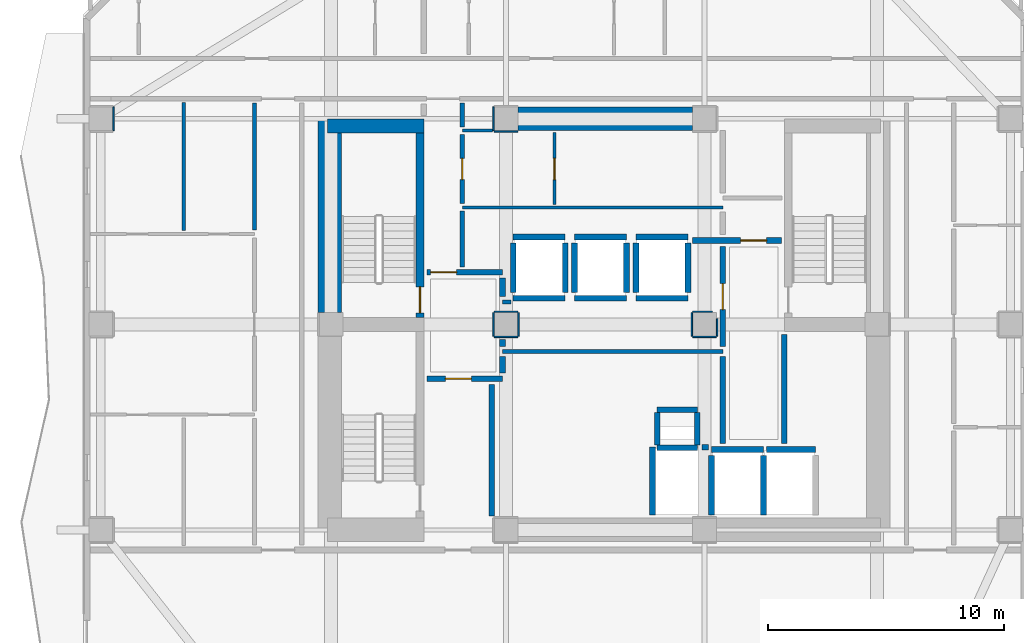
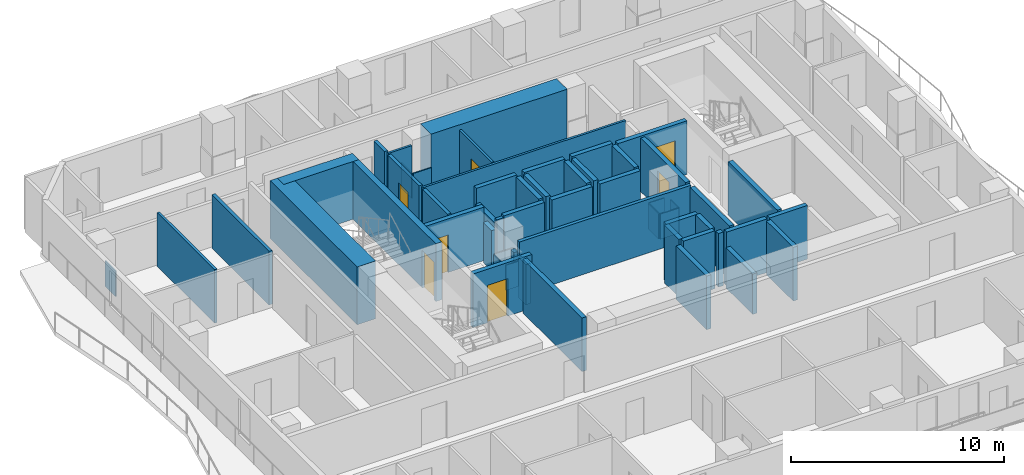
# One storey, part 4 of 11: 57 walls, 7 doors, 7 openings.
"""IFC4 building model written with IfcOpenShell, lengths in metres."""

from ifc_helpers import new_model, si_unit, direction, frame, frame_2d, origin, place, context, subcontext, project, spatial, rectangle, extrude, material, layer, layer_set, type_object, element, fill, save


model = new_model("IFC4")

# Units and contexts
model_context = context("Model", 3, precision=1e-05, world=origin(), true_north=direction((0.0, 1.0)))
body_context = subcontext(model_context, "Body", "Model", "MODEL_VIEW")
ifc_project = project(units=[si_unit("LENGTHUNIT", "METRE"), si_unit("AREAUNIT", "SQUARE_METRE"), si_unit("VOLUMEUNIT", "CUBIC_METRE"), si_unit("PLANEANGLEUNIT", "RADIAN"), si_unit("MASSUNIT", "GRAM", prefix="KILO")], contexts=[model_context])

# Site, building, storey
site_placement = place(None, origin())
site = spatial("IfcSite", under=ifc_project, at=site_placement, CompositionType="ELEMENT")
building_placement = place(site_placement, origin())
building = spatial("IfcBuilding", under=site, at=building_placement, Name="Solanera Arch Residences", CompositionType="ELEMENT")
storey_placement = place(building_placement, frame((0.0, 0.0, 116.0400390625)))
storey = spatial("IfcBuildingStorey", under=building, at=storey_placement, Name="L33", CompositionType="ELEMENT", Elevation=116.0400390625)

# Walls
ifc_material_1 = material(Name="Fire-Rated Gypsum Stud Partition", Category="gypsum")
ifc_layer_1 = layer(ifc_material_1, 0.06005859375)
ifc_layer_set_1 = layer_set([ifc_layer_1], Name="Fire-Rated Gypsum Stud Partition")
wall_type_1 = type_object("IfcWallType", Name="Column Acoustic Furring Wall 60", PredefinedType="PARTITIONING", material=ifc_layer_set_1)
for number, where, z_axis, x_axis, name in (
    (1, (20.300048828125, 38.867919921875, 0.0), (0.0, 0.0, 1.0), (1.0, 0.0, 0.0), "L33 Column Furring 3S"),
    (2, (20.26806640625, 38.89990234375, 0.0), (0.0, 0.0, 1.0), (0.0, 1.0, 0.0), "L33 Column Furring 3W"),
    (3, (20.300048828125, 30.16796875, 0.0), (0.0, 0.0, 1.0), (1.0, 0.0, 0.0), "L33 Column Furring 7S"),
    (4, (20.300048828125, 31.23193359375, 0.0), (0.0, 0.0, 1.0), (1.0, 0.0, 0.0), "L33 Column Furring 7N"),
    (5, (20.26806640625, 30.199951171875, 0.0), (0.0, 0.0, 1.0), (0.0, 1.0, 0.0), "L33 Column Furring 7W"),
    (6, (21.33203125, 30.199951171875, 0.0), (0.0, 0.0, 1.0), (0.0, 1.0, 0.0), "L33 Column Furring 7E"),
    (7, (28.699951171875, 30.16796875, 0.0), (0.0, 0.0, 1.0), (1.0, 0.0, 0.0), "L33 Column Furring 8S"),
):
    element("IfcWall", number, at=place(storey_placement, frame(where, z_axis=z_axis, x_axis=x_axis)), inside=storey, type_object=wall_type_1, Name=name, PredefinedType="PARTITIONING", context=body_context, shape_type="SweptSolid", body=[
        extrude(rectangle(XDim=1.0, YDim=0.06005859375, at=frame_2d((0.5, 0.0))), origin(), (0.0, 0.0, 1.0), 1.449951171875),
    ])
wall_1_placement = place(storey_placement, frame((28.699951171875, 31.23193359375, 0.0), z_axis=(0.0, 0.0, 1.0), x_axis=(1.0, 0.0, 0.0)))
element("IfcWall", 8, at=wall_1_placement, inside=storey, type_object=wall_type_1, Name="L33 Column Furring 8N", PredefinedType="PARTITIONING", context=body_context, shape_type="SweptSolid", body=[
    extrude(rectangle(XDim=0.8349609375, YDim=0.06005859375, at=frame_2d((0.41748046875, 0.0))), origin(), (0.0, 0.0, 1.0), 1.449951171875),
])
wall_2_placement = place(storey_placement, frame((28.66796875, 30.199951171875, 0.0), z_axis=(0.0, 0.0, 1.0), x_axis=(0.0, 1.0, 0.0)))
element("IfcWall", 9, at=wall_2_placement, inside=storey, type_object=wall_type_1, Name="L33 Column Furring 8W", PredefinedType="PARTITIONING", context=body_context, shape_type="SweptSolid", body=[
    extrude(rectangle(XDim=1.0, YDim=0.06005859375, at=frame_2d((0.5, 0.0))), origin(), (0.0, 0.0, 1.0), 1.449951171875),
])
wall_3_placement = place(storey_placement, frame((29.73193359375, 30.199951171875, 0.0), z_axis=(0.0, 0.0, 1.0), x_axis=(0.0, 1.0, 0.0)))
element("IfcWall", 10, at=wall_3_placement, inside=storey, type_object=wall_type_1, Name="L33 Column Furring 8E", PredefinedType="PARTITIONING", context=body_context, shape_type="SweptSolid", body=[
    extrude(rectangle(XDim=0.7470703125, YDim=0.06005859375, at=frame_2d((0.37353515625, 0.0))), origin(), (0.0, 0.0, 1.0), 1.449951171875),
])
wall_4_placement = place(storey_placement, frame((4.181884765625, 38.89990234375, 0.0), z_axis=(0.0, 0.0, 1.0), x_axis=(0.0, 1.0, 0.0)))
element("IfcWall", 11, at=wall_4_placement, inside=storey, type_object=wall_type_1, Name="L33 Column Furring 21E", PredefinedType="PARTITIONING", context=body_context, shape_type="SweptSolid", body=[
    extrude(rectangle(XDim=1.0, YDim=0.06005859375, at=frame_2d((0.5, 0.0))), origin(), (0.0, 0.0, 1.0), 1.449951171875),
])
ifc_material_2 = material(Name="Concrete C55/67 (f'c = 60 MPa)", Category="concrete")
ifc_layer_2 = layer(ifc_material_2, 1.0)
ifc_layer_set_2 = layer_set([ifc_layer_2], Name="Concrete C55/67 (f'c = 60 MPa)")
wall_type_2 = type_object("IfcWallType", Name="Core Shear Wall CW-1000", PredefinedType="SHEAR", material=ifc_layer_set_2)
wall_5_placement = place(storey_placement, frame((13.340087890625, 31.205078125, 0.0), z_axis=(0.0, 0.0, 1.0), x_axis=(0.0, 1.0, 0.0)))
element("IfcWall", 12, at=wall_5_placement, inside=storey, type_object=wall_type_2, Name="L33 West Core North Shear Wall", PredefinedType="SHEAR", context=body_context, shape_type="SweptSolid", body=[
    extrude(rectangle(XDim=8.19482421875, YDim=1.0, at=frame_2d((4.097412109375, 0.0))), origin(), (0.0, 0.0, 1.0), 3.320068359375),
])
wall_6_placement = place(storey_placement, frame((21.304931640625, 39.39990234375, 0.0), z_axis=(0.0, 0.0, 1.0), x_axis=(1.0, 0.0, 0.0)))
element("IfcWall", 13, at=wall_6_placement, inside=storey, type_object=wall_type_2, Name="L33 Central North Core Shear Wall", PredefinedType="SHEAR", context=body_context, shape_type="SweptSolid", body=[
    extrude(rectangle(XDim=7.39013671875, YDim=1.0, at=frame_2d((3.695068359375, 0.0))), origin(), (0.0, 0.0, 1.0), 3.320068359375),
])

# Wall, opening, door
ifc_material_3 = material(Name="Concrete C40/50 (f'c = 45 MPa)", Category="concrete")
ifc_layer_3 = layer(ifc_material_3, 0.320068359375)
ifc_layer_set_3 = layer_set([ifc_layer_3], Name="Concrete C40/50 (f'c = 45 MPa)")
wall_type_3 = type_object("IfcWallType", Name="Core Shear Wall CW-320", PredefinedType="SHEAR", material=ifc_layer_set_3)
wall_7_placement = place(storey_placement, frame((17.159912109375, 31.0, 0.0), z_axis=(0.0, 0.0, 1.0), x_axis=(0.0, 1.0, 0.0)))
wall_7 = element("IfcWall", 14, at=wall_7_placement, inside=storey, type_object=wall_type_3, Name="L33 Stair ST-T1 East Shear Wall", PredefinedType="SHEAR", context=body_context, shape_type="SweptSolid", body=[
    extrude(rectangle(XDim=7.800048828125, YDim=0.320068359375, at=frame_2d((3.89990234375, 0.0))), origin(), (0.0, 0.0, 1.0), 3.320068359375),
])
opening_1_placement = place(wall_7_placement, frame((0.18994140625, 0.0, 0.0)))
opening_1 = element("IfcOpeningElement", 15, at=opening_1_placement, cuts=wall_7, Name="Opening DF-01", PredefinedType="OPENING", context=body_context, shape_type="SweptSolid", body=[
    extrude(rectangle(XDim=1.10009765625, YDim=2.14990234375, at=frame_2d((0.550048828125, 1.074951171875))), frame((0.0, 0.169921875, 0.0), z_axis=(0.0, -1.0, 0.0), x_axis=(1.0, 0.0, 0.0)), (0.0, 0.0, 1.0), 0.3401),
])
ifc_material_4 = material(Name="Fire-Rated Architectural Hardwood", Category="wood")
door_type_1 = type_object("IfcDoorType", Name="Stair Exit Fire Door DF-01", OperationType="NOTDEFINED", PredefinedType="DOOR", material=ifc_material_4)
door_1_placement = place(opening_1_placement, origin())
door_1 = element("IfcDoor", 16, at=door_1_placement, inside=storey, type_object=door_type_1, Name="DR-L33-STAIR-ST-T1", OperationType="SINGLE_SWING_LEFT", OverallHeight=2.14990234375, OverallWidth=1.10009765625, PredefinedType="DOOR", context=body_context, shape_type="SweptSolid", body=[
    extrude(rectangle(XDim=1.10009765625, YDim=2.14990234375, at=frame_2d((0.550048828125, 1.074951171875))), frame((0.0, 0.02490234375, 0.0), z_axis=(0.0, -1.0, 0.0), x_axis=(1.0, 0.0, 0.0)), (0.0, 0.0, 1.0), 0.050048828125),
])
fill(opening_1, door_1)

# Walls
ifc_material_5 = material(Name="Concrete C40/50 (f'c = 45 MPa)", Category="concrete")
ifc_layer_4 = layer(ifc_material_5, 0.60009765625)
ifc_layer_set_4 = layer_set([ifc_layer_4], Name="Concrete C40/50 (f'c = 45 MPa)")
wall_type_4 = type_object("IfcWallType", Name="Core Shear Wall CW-600", PredefinedType="SHEAR", material=ifc_layer_set_4)
wall_8_placement = place(storey_placement, frame((13.239990234375, 39.10009765625, 0.0), z_axis=(0.0, 0.0, 1.0), x_axis=(1.0, 0.0, 0.0)))
element("IfcWall", 17, at=wall_8_placement, inside=storey, type_object=wall_type_4, Name="L33 North-West Core Shear Wall", PredefinedType="SHEAR", context=body_context, shape_type="SweptSolid", body=[
    extrude(rectangle(XDim=4.080078125, YDim=0.60009765625, at=frame_2d((2.0400390625, 0.0))), origin(), (0.0, 0.0, 1.0), 3.320068359375),
])
ifc_material_6 = material(Name="Autoclaved Aerated Concrete Blockwork", Category="masonry")
ifc_layer_5 = layer(ifc_material_6, 0.179931640625)
ifc_layer_set_5 = layer_set([ifc_layer_5], Name="Autoclaved Aerated Concrete Blockwork")
wall_type_5 = type_object("IfcWallType", Name="Corridor Fire Partition 180", PredefinedType="PARTITIONING", material=ifc_layer_set_5)
wall_9_placement = place(storey_placement, frame((20.64990234375, 29.550048828125, 0.0), z_axis=(0.0, 0.0, 1.0), x_axis=(1.0, 0.0, 0.0)))
element("IfcWall", 18, at=wall_9_placement, inside=storey, type_object=wall_type_5, Name="L33 Interior Partition H7", PredefinedType="PARTITIONING", context=body_context, shape_type="SweptSolid", body=[
    extrude(rectangle(XDim=9.3251953125, YDim=0.179931640625, at=frame_2d((4.66259765625, 0.0))), origin(), (0.0, 0.0, 1.0), 3.080078125),
])
wall_10_placement = place(storey_placement, frame((20.64990234375, 31.64990234375, 0.0), z_axis=(0.0, 0.0, 1.0), x_axis=(1.0, 0.0, 0.0)))
element("IfcWall", 19, at=wall_10_placement, inside=storey, type_object=wall_type_5, Name="L33 Interior Partition H8", PredefinedType="PARTITIONING", context=body_context, shape_type="SweptSolid", body=[
    extrude(rectangle(XDim=0.357177734375, YDim=0.179931640625, at=frame_2d((0.1787109375, 0.0))), origin(), (0.0, 0.0, 1.0), 3.080078125),
])
wall_11_placement = place(storey_placement, frame((10.14990234375, 34.68798828125, 0.0), z_axis=(0.0, 0.0, 1.0), x_axis=(0.0, 1.0, 0.0)))
element("IfcWall", 20, at=wall_11_placement, inside=storey, type_object=wall_type_5, Name="L33 Interior Partition V8 3", PredefinedType="PARTITIONING", context=body_context, shape_type="SweptSolid", body=[
    extrude(rectangle(XDim=5.3740234375, YDim=0.179931640625, at=frame_2d((2.68701171875, 0.0))), origin(), (0.0, 0.0, 1.0), 3.080078125),
])
wall_12_placement = place(storey_placement, frame((18.949951171875, 33.117919921875, 0.0), z_axis=(0.0, 0.0, 1.0), x_axis=(0.0, 1.0, 0.0)))
element("IfcWall", 21, at=wall_12_placement, inside=storey, type_object=wall_type_5, Name="L33 Interior Partition V10 1", PredefinedType="PARTITIONING", context=body_context, shape_type="SweptSolid", body=[
    extrude(rectangle(XDim=2.3740234375, YDim=0.179931640625, at=frame_2d((1.18701171875, 0.0))), origin(), (0.0, 0.0, 1.0), 3.080078125),
])

# Wall, opening, door
wall_13_placement = place(storey_placement, frame((18.949951171875, 35.80810546875, 0.0), z_axis=(0.0, 0.0, 1.0), x_axis=(0.0, 1.0, 0.0)))
wall_13 = element("IfcWall", 22, at=wall_13_placement, inside=storey, type_object=wall_type_5, Name="L33 Interior Partition V10 2", PredefinedType="PARTITIONING", context=body_context, shape_type="SweptSolid", body=[
    extrude(rectangle(XDim=2.933837890625, YDim=0.179931640625, at=frame_2d((1.466796875, 0.0))), origin(), (0.0, 0.0, 1.0), 3.080078125),
])
opening_2_placement = place(wall_13_placement, frame((1.01708984375, 0.0, 0.0)))
opening_2 = element("IfcOpeningElement", 23, at=opening_2_placement, cuts=wall_13, Name="Opening DI-02", PredefinedType="OPENING", context=body_context, shape_type="SweptSolid", body=[
    extrude(rectangle(XDim=0.89990234375, YDim=2.10009765625, at=frame_2d((0.449951171875, 1.050048828125))), frame((0.0, 0.10009765625, 0.0), z_axis=(0.0, -1.0, 0.0), x_axis=(1.0, 0.0, 0.0)), (0.0, 0.0, 1.0), 0.1999),
])
ifc_material_7 = material(Name="Fire-Rated Architectural Hardwood", Category="wood")
door_type_2 = type_object("IfcDoorType", Name="Suite Room Swing Door DI-02", OperationType="NOTDEFINED", PredefinedType="DOOR", material=ifc_material_7)
door_2_placement = place(opening_2_placement, origin())
door_2 = element("IfcDoor", 24, at=door_2_placement, inside=storey, type_object=door_type_2, Name="DR-L33-IN-014", OperationType="SINGLE_SWING_RIGHT", OverallHeight=2.10009765625, OverallWidth=0.89990234375, PredefinedType="DOOR", context=body_context, shape_type="SweptSolid", body=[
    extrude(rectangle(XDim=0.89990234375, YDim=2.10009765625, at=frame_2d((0.449951171875, 1.050048828125))), frame((0.0, 0.02490234375, 0.0), z_axis=(0.0, -1.0, 0.0), x_axis=(1.0, 0.0, 0.0)), (0.0, 0.0, 1.0), 0.050048828125),
])
fill(opening_2, door_2)

# Walls
wall_14_placement = place(storey_placement, frame((18.949951171875, 39.05810546875, 0.0), z_axis=(0.0, 0.0, 1.0), x_axis=(0.0, 1.0, 0.0)))
element("IfcWall", 25, at=wall_14_placement, inside=storey, type_object=wall_type_5, Name="L33 Interior Partition V10 3", PredefinedType="PARTITIONING", context=body_context, shape_type="SweptSolid", body=[
    extrude(rectangle(XDim=1.00390625, YDim=0.179931640625, at=frame_2d((0.501953125, 0.0))), origin(), (0.0, 0.0, 1.0), 3.080078125),
])
ifc_material_8 = material(Name="Concrete C40/50 (f'c = 45 MPa)", Category="concrete")
ifc_layer_6 = layer(ifc_material_8, 0.239990234375)
ifc_layer_set_6 = layer_set([ifc_layer_6], Name="Concrete C40/50 (f'c = 45 MPa)")
wall_type_6 = type_object("IfcWallType", Name="Ramp Bearing Shear Wall RW-240", PredefinedType="SHEAR", material=ifc_layer_set_6)
for number, where, z_axis, x_axis, name in (
    (26, (27.199951171875, 25.47998046875, 0.0), (0.0, 0.0, 1.0), (1.0, 0.0, 0.0), "L33 Core MEP Riser South Shaft Wall"),
    (27, (27.199951171875, 27.080078125, 0.0), (0.0, 0.0, 1.0), (1.0, 0.0, 0.0), "L33 Core MEP Riser North Shaft Wall"),
):
    element("IfcWall", number, at=place(storey_placement, frame(where, z_axis=z_axis, x_axis=x_axis)), inside=storey, type_object=wall_type_6, Name=name, PredefinedType="SHEAR", context=body_context, shape_type="SweptSolid", body=[
        extrude(rectangle(XDim=1.699951171875, YDim=0.239990234375, at=frame_2d((0.85009765625, 0.0))), origin(), (0.0, 0.0, 1.0), 3.320068359375),
    ])
for number, where, z_axis, x_axis, name in (
    (28, (27.199951171875, 25.60009765625, 0.0), (0.0, 0.0, 1.0), (0.0, 1.0, 0.0), "L33 Core MEP Riser West Shaft Wall"),
    (29, (28.89990234375, 25.60009765625, 0.0), (0.0, 0.0, 1.0), (0.0, 1.0, 0.0), "L33 Core MEP Riser East Shaft Wall"),
):
    element("IfcWall", number, at=place(storey_placement, frame(where, z_axis=z_axis, x_axis=x_axis)), inside=storey, type_object=wall_type_6, Name=name, PredefinedType="SHEAR", context=body_context, shape_type="SweptSolid", body=[
        extrude(rectangle(XDim=1.35986328125, YDim=0.239990234375, at=frame_2d((0.679931640625, 0.0))), origin(), (0.0, 0.0, 1.0), 3.320068359375),
    ])
ifc_material_9 = material(Name="Autoclaved Aerated Concrete Blockwork", Category="masonry")
ifc_layer_7 = layer(ifc_material_9, 0.239990234375)
ifc_layer_set_7 = layer_set([ifc_layer_7], Name="Autoclaved Aerated Concrete Blockwork")
wall_type_7 = type_object("IfcWallType", Name="Shaft Wall Fire-Rated 240", PredefinedType="PARTITIONING", material=ifc_layer_set_7)
for number, where, z_axis, x_axis, name in (
    (30, (21.10009765625, 31.800048828125, 0.0), (0.0, 0.0, 1.0), (1.0, 0.0, 0.0), "L33 Lift PL-M1 Hoistway Wall S"),
    (31, (21.10009765625, 34.39990234375, 0.0), (0.0, 0.0, 1.0), (1.0, 0.0, 0.0), "L33 Lift PL-M1 Hoistway Wall N"),
):
    element("IfcWall", number, at=place(storey_placement, frame(where, z_axis=z_axis, x_axis=x_axis)), inside=storey, type_object=wall_type_7, Name=name, PredefinedType="PARTITIONING", context=body_context, shape_type="SweptSolid", body=[
        extrude(rectangle(XDim=2.199951171875, YDim=0.239990234375, at=frame_2d((1.10009765625, 0.0))), origin(), (0.0, 0.0, 1.0), 3.080078125),
    ])
wall_15_placement = place(storey_placement, frame((21.10009765625, 32.048095703125, 0.0), z_axis=(0.0, 0.0, 1.0), x_axis=(0.0, 1.0, 0.0)))
element("IfcWall", 32, at=wall_15_placement, inside=storey, type_object=wall_type_7, Name="L33 Lift PL-M1 Hoistway Wall W", PredefinedType="PARTITIONING", context=body_context, shape_type="SweptSolid", body=[
    extrude(rectangle(XDim=2.10400390625, YDim=0.239990234375, at=frame_2d((1.052001953125, 0.0))), origin(), (0.0, 0.0, 1.0), 2.31494140625),
])
wall_16_placement = place(storey_placement, frame((23.300048828125, 32.048095703125, 0.0), z_axis=(0.0, 0.0, 1.0), x_axis=(0.0, 1.0, 0.0)))
element("IfcWall", 33, at=wall_16_placement, inside=storey, type_object=wall_type_7, Name="L33 Lift PL-M1 Hoistway Wall E", PredefinedType="PARTITIONING", context=body_context, shape_type="SweptSolid", body=[
    extrude(rectangle(XDim=2.10400390625, YDim=0.239990234375, at=frame_2d((1.052001953125, 0.0))), origin(), (0.0, 0.0, 1.0), 3.080078125),
])
for number, where, z_axis, x_axis, name in (
    (34, (23.699951171875, 31.800048828125, 0.0), (0.0, 0.0, 1.0), (1.0, 0.0, 0.0), "L33 Lift PL-M2 Hoistway Wall S"),
    (35, (23.699951171875, 34.39990234375, 0.0), (0.0, 0.0, 1.0), (1.0, 0.0, 0.0), "L33 Lift PL-M2 Hoistway Wall N"),
):
    element("IfcWall", number, at=place(storey_placement, frame(where, z_axis=z_axis, x_axis=x_axis)), inside=storey, type_object=wall_type_7, Name=name, PredefinedType="PARTITIONING", context=body_context, shape_type="SweptSolid", body=[
        extrude(rectangle(XDim=2.199951171875, YDim=0.239990234375, at=frame_2d((1.10009765625, 0.0))), origin(), (0.0, 0.0, 1.0), 3.080078125),
    ])
for number, where, z_axis, x_axis, name in (
    (36, (23.699951171875, 32.048095703125, 0.0), (0.0, 0.0, 1.0), (0.0, 1.0, 0.0), "L33 Lift PL-M2 Hoistway Wall W"),
    (37, (25.89990234375, 32.048095703125, 0.0), (0.0, 0.0, 1.0), (0.0, 1.0, 0.0), "L33 Lift PL-M2 Hoistway Wall E"),
):
    element("IfcWall", number, at=place(storey_placement, frame(where, z_axis=z_axis, x_axis=x_axis)), inside=storey, type_object=wall_type_7, Name=name, PredefinedType="PARTITIONING", context=body_context, shape_type="SweptSolid", body=[
        extrude(rectangle(XDim=2.10400390625, YDim=0.239990234375, at=frame_2d((1.052001953125, 0.0))), origin(), (0.0, 0.0, 1.0), 3.080078125),
    ])
for number, where, z_axis, x_axis, name in (
    (38, (26.300048828125, 31.800048828125, 0.0), (0.0, 0.0, 1.0), (1.0, 0.0, 0.0), "L33 Lift PL-M3 Hoistway Wall S"),
    (39, (26.300048828125, 34.39990234375, 0.0), (0.0, 0.0, 1.0), (1.0, 0.0, 0.0), "L33 Lift PL-M3 Hoistway Wall N"),
):
    element("IfcWall", number, at=place(storey_placement, frame(where, z_axis=z_axis, x_axis=x_axis)), inside=storey, type_object=wall_type_7, Name=name, PredefinedType="PARTITIONING", context=body_context, shape_type="SweptSolid", body=[
        extrude(rectangle(XDim=2.199951171875, YDim=0.239990234375, at=frame_2d((1.10009765625, 0.0))), origin(), (0.0, 0.0, 1.0), 3.080078125),
    ])
for number, where, z_axis, x_axis, name in (
    (40, (26.300048828125, 32.048095703125, 0.0), (0.0, 0.0, 1.0), (0.0, 1.0, 0.0), "L33 Lift PL-M3 Hoistway Wall W"),
    (41, (28.5, 32.048095703125, 0.0), (0.0, 0.0, 1.0), (0.0, 1.0, 0.0), "L33 Lift PL-M3 Hoistway Wall E"),
):
    element("IfcWall", number, at=place(storey_placement, frame(where, z_axis=z_axis, x_axis=x_axis)), inside=storey, type_object=wall_type_7, Name=name, PredefinedType="PARTITIONING", context=body_context, shape_type="SweptSolid", body=[
        extrude(rectangle(XDim=2.10400390625, YDim=0.239990234375, at=frame_2d((1.052001953125, 0.0))), origin(), (0.0, 0.0, 1.0), 3.080078125),
    ])
wall_17_placement = place(storey_placement, frame((29.5, 25.39990234375, 0.0), z_axis=(0.0, 0.0, 1.0), x_axis=(1.0, 0.0, 0.0)))
element("IfcWall", 42, at=wall_17_placement, inside=storey, type_object=wall_type_7, Name="L33 Lift FFL-1 Hoistway Wall N", PredefinedType="PARTITIONING", context=body_context, shape_type="SweptSolid", body=[
    extrude(rectangle(XDim=2.199951171875, YDim=0.239990234375, at=frame_2d((1.10009765625, 0.0))), origin(), (0.0, 0.0, 1.0), 3.080078125),
])
wall_18_placement = place(storey_placement, frame((29.5, 22.632080078125, 0.0), z_axis=(0.0, 0.0, 1.0), x_axis=(0.0, 1.0, 0.0)))
element("IfcWall", 43, at=wall_18_placement, inside=storey, type_object=wall_type_7, Name="L33 Lift FFL-1 Hoistway Wall W", PredefinedType="PARTITIONING", context=body_context, shape_type="SweptSolid", body=[
    extrude(rectangle(XDim=2.52001953125, YDim=0.239990234375, at=frame_2d((1.260009765625, 0.0))), origin(), (0.0, 0.0, 1.0), 2.31494140625),
])
wall_19_placement = place(storey_placement, frame((31.699951171875, 22.6298828125, 0.0), z_axis=(0.0, 0.0, 1.0), x_axis=(0.0, 1.0, 0.0)))
element("IfcWall", 44, at=wall_19_placement, inside=storey, type_object=wall_type_7, Name="L33 Lift FFL-1 Hoistway Wall E", PredefinedType="PARTITIONING", context=body_context, shape_type="SweptSolid", body=[
    extrude(rectangle(XDim=2.522216796875, YDim=0.239990234375, at=frame_2d((1.26123046875, 0.0))), origin(), (0.0, 0.0, 1.0), 3.080078125),
])
wall_20_placement = place(storey_placement, frame((31.827880859375, 25.39990234375, 0.0), z_axis=(0.0, 0.0, 1.0), x_axis=(1.0, 0.0, 0.0)))
element("IfcWall", 45, at=wall_20_placement, inside=storey, type_object=wall_type_7, Name="L33 Lift FFL-2 Hoistway Wall N", PredefinedType="PARTITIONING", context=body_context, shape_type="SweptSolid", body=[
    extrude(rectangle(XDim=2.072021484375, YDim=0.239990234375, at=frame_2d((1.0361328125, 0.0))), origin(), (0.0, 0.0, 1.0), 3.080078125),
])
wall_21_placement = place(storey_placement, frame((29.10302734375, 25.5, 0.0), z_axis=(0.0, 0.0, 1.0), x_axis=(1.0, 0.0, 0.0)))
element("IfcWall", 46, at=wall_21_placement, inside=storey, type_object=wall_type_7, Name="L33 Lift SVL-1 Hoistway Wall N", PredefinedType="PARTITIONING", context=body_context, shape_type="SweptSolid", body=[
    extrude(rectangle(XDim=0.26904296875, YDim=0.239990234375, at=frame_2d((0.134521484375, 0.0))), origin(), (0.0, 0.0, 1.0), 3.080078125),
])
wall_22_placement = place(storey_placement, frame((27.0, 22.6298828125, 0.0), z_axis=(0.0, 0.0, 1.0), x_axis=(0.0, 1.0, 0.0)))
element("IfcWall", 47, at=wall_22_placement, inside=storey, type_object=wall_type_7, Name="L33 Lift SVL-1 Hoistway Wall W", PredefinedType="PARTITIONING", context=body_context, shape_type="SweptSolid", body=[
    extrude(rectangle(XDim=2.8681640625, YDim=0.239990234375, at=frame_2d((1.43408203125, 0.0))), origin(), (0.0, 0.0, 1.0), 3.080078125),
])

# Wall, opening, door
wall_23_placement = place(storey_placement, frame((17.449951171875, 28.39990234375, 0.0), z_axis=(0.0, 0.0, 1.0), x_axis=(1.0, 0.0, 0.0)))
wall_23 = element("IfcWall", 48, at=wall_23_placement, inside=storey, type_object=wall_type_7, Name="L33 Interior Partition H3", PredefinedType="PARTITIONING", context=body_context, shape_type="SweptSolid", body=[
    extrude(rectangle(XDim=3.199951171875, YDim=0.239990234375, at=frame_2d((1.60009765625, 0.0))), origin(), (0.0, 0.0, 1.0), 3.080078125),
])
opening_3_placement = place(wall_23_placement, frame((0.783935546875, 0.0, 0.0)))
opening_3 = element("IfcOpeningElement", 49, at=opening_3_placement, cuts=wall_23, Name="Opening DF-02", PredefinedType="OPENING", context=body_context, shape_type="SweptSolid", body=[
    extrude(rectangle(XDim=1.10009765625, YDim=2.14990234375, at=frame_2d((0.550048828125, 1.074951171875))), frame((0.0, 0.1298828125, 0.0), z_axis=(0.0, -1.0, 0.0), x_axis=(1.0, 0.0, 0.0)), (0.0, 0.0, 1.0), 0.26),
])
ifc_material_10 = material(Name="Fire-Rated Architectural Hardwood", Category="wood")
door_type_3 = type_object("IfcDoorType", Name="Firefighting Lobby Fire Door DF-02", OperationType="NOTDEFINED", PredefinedType="DOOR", material=ifc_material_10)
door_3_placement = place(opening_3_placement, origin())
door_3 = element("IfcDoor", 50, at=door_3_placement, inside=storey, type_object=door_type_3, Name="DR-L33-IN-004", OperationType="SINGLE_SWING_RIGHT", OverallHeight=2.14990234375, OverallWidth=1.10009765625, PredefinedType="DOOR", context=body_context, shape_type="SweptSolid", body=[
    extrude(rectangle(XDim=1.10009765625, YDim=2.14990234375, at=frame_2d((0.550048828125, 1.074951171875))), frame((0.0, 0.02490234375, 0.0), z_axis=(0.0, -1.0, 0.0), x_axis=(1.0, 0.0, 0.0)), (0.0, 0.0, 1.0), 0.050048828125),
])
fill(opening_3, door_3)

wall_24_placement = place(storey_placement, frame((17.449951171875, 32.89990234375, 0.0), z_axis=(0.0, 0.0, 1.0), x_axis=(1.0, 0.0, 0.0)))
wall_24 = element("IfcWall", 51, at=wall_24_placement, inside=storey, type_object=wall_type_7, Name="L33 Interior Partition H4", PredefinedType="PARTITIONING", context=body_context, shape_type="SweptSolid", body=[
    extrude(rectangle(XDim=3.199951171875, YDim=0.239990234375, at=frame_2d((1.60009765625, 0.0))), origin(), (0.0, 0.0, 1.0), 3.080078125),
])
opening_4_placement = place(wall_24_placement, frame((0.158935546875, 0.0, 0.0)))
opening_4 = element("IfcOpeningElement", 52, at=opening_4_placement, cuts=wall_24, Name="Opening DF-02", PredefinedType="OPENING", context=body_context, shape_type="SweptSolid", body=[
    extrude(rectangle(XDim=1.10009765625, YDim=2.14990234375, at=frame_2d((0.550048828125, 1.074951171875))), frame((0.0, 0.1298828125, 0.0), z_axis=(0.0, -1.0, 0.0), x_axis=(1.0, 0.0, 0.0)), (0.0, 0.0, 1.0), 0.26),
])
door_4_placement = place(opening_4_placement, origin())
door_4 = element("IfcDoor", 53, at=door_4_placement, inside=storey, type_object=door_type_3, Name="DR-L33-IN-005", OperationType="SINGLE_SWING_LEFT", OverallHeight=2.14990234375, OverallWidth=1.10009765625, PredefinedType="DOOR", context=body_context, shape_type="SweptSolid", body=[
    extrude(rectangle(XDim=1.10009765625, YDim=2.14990234375, at=frame_2d((0.550048828125, 1.074951171875))), frame((0.0, 0.02490234375, 0.0), z_axis=(0.0, -1.0, 0.0), x_axis=(1.0, 0.0, 0.0)), (0.0, 0.0, 1.0), 0.050048828125),
])
fill(opening_4, door_4)

wall_25_placement = place(storey_placement, frame((28.701904296875, 34.25, 0.0), z_axis=(0.0, 0.0, 1.0), x_axis=(1.0, 0.0, 0.0)))
wall_25 = element("IfcWall", 54, at=wall_25_placement, inside=storey, type_object=wall_type_7, Name="L33 Interior Partition H5", PredefinedType="PARTITIONING", context=body_context, shape_type="SweptSolid", body=[
    extrude(rectangle(XDim=3.748046875, YDim=0.239990234375, at=frame_2d((1.8740234375, 0.0))), origin(), (0.0, 0.0, 1.0), 3.080078125),
])
opening_5_placement = place(wall_25_placement, frame((2.02490234375, 0.0, 0.0)))
opening_5 = element("IfcOpeningElement", 55, at=opening_5_placement, cuts=wall_25, Name="Opening DF-02", PredefinedType="OPENING", context=body_context, shape_type="SweptSolid", body=[
    extrude(rectangle(XDim=1.10009765625, YDim=2.14990234375, at=frame_2d((0.550048828125, 1.074951171875))), frame((0.0, 0.1298828125, 0.0), z_axis=(0.0, -1.0, 0.0), x_axis=(1.0, 0.0, 0.0)), (0.0, 0.0, 1.0), 0.26),
])
door_5_placement = place(opening_5_placement, origin())
door_5 = element("IfcDoor", 56, at=door_5_placement, inside=storey, type_object=door_type_3, Name="DR-L33-IN-007", OperationType="SINGLE_SWING_LEFT", OverallHeight=2.14990234375, OverallWidth=1.10009765625, PredefinedType="DOOR", context=body_context, shape_type="SweptSolid", body=[
    extrude(rectangle(XDim=1.10009765625, YDim=2.14990234375, at=frame_2d((0.550048828125, 1.074951171875))), frame((0.0, 0.02490234375, 0.0), z_axis=(0.0, -1.0, 0.0), x_axis=(1.0, 0.0, 0.0)), (0.0, 0.0, 1.0), 0.050048828125),
])
fill(opening_5, door_5)

# Walls
wall_26_placement = place(storey_placement, frame((20.199951171875, 22.5859375, 0.0), z_axis=(0.0, 0.0, 1.0), x_axis=(0.0, 1.0, 0.0)))
element("IfcWall", 57, at=wall_26_placement, inside=storey, type_object=wall_type_7, Name="L33 Interior Partition V3", PredefinedType="PARTITIONING", context=body_context, shape_type="SweptSolid", body=[
    extrude(rectangle(XDim=5.566162109375, YDim=0.239990234375, at=frame_2d((2.783203125, 0.0))), origin(), (0.0, 0.0, 1.0), 3.080078125),
])
wall_27_placement = place(storey_placement, frame((20.64990234375, 28.64794921875, 0.0), z_axis=(0.0, 0.0, 1.0), x_axis=(0.0, 1.0, 0.0)))
element("IfcWall", 58, at=wall_27_placement, inside=storey, type_object=wall_type_7, Name="L33 Interior Partition V4 1", PredefinedType="PARTITIONING", context=body_context, shape_type="SweptSolid", body=[
    extrude(rectangle(XDim=0.68408203125, YDim=0.239990234375, at=frame_2d((0.342041015625, 0.0))), origin(), (0.0, 0.0, 1.0), 2.31494140625),
])
wall_28_placement = place(storey_placement, frame((20.64990234375, 29.76806640625, 0.0), z_axis=(0.0, 0.0, 1.0), x_axis=(0.0, 1.0, 0.0)))
element("IfcWall", 59, at=wall_28_placement, inside=storey, type_object=wall_type_7, Name="L33 Interior Partition V4 2", PredefinedType="PARTITIONING", context=body_context, shape_type="SweptSolid", body=[
    extrude(rectangle(XDim=0.300048828125, YDim=0.239990234375, at=frame_2d((0.14990234375, 0.0))), origin(), (0.0, 0.0, 1.0), 2.31494140625),
])
wall_29_placement = place(storey_placement, frame((20.64990234375, 31.867919921875, 0.0), z_axis=(0.0, 0.0, 1.0), x_axis=(0.0, 1.0, 0.0)))
element("IfcWall", 60, at=wall_29_placement, inside=storey, type_object=wall_type_7, Name="L33 Interior Partition V4 3", PredefinedType="PARTITIONING", context=body_context, shape_type="SweptSolid", body=[
    extrude(rectangle(XDim=0.7841796875, YDim=0.239990234375, at=frame_2d((0.39208984375, 0.0))), origin(), (0.0, 0.0, 1.0), 2.31494140625),
])
wall_30_placement = place(storey_placement, frame((29.97509765625, 25.64794921875, 0.0), z_axis=(0.0, 0.0, 1.0), x_axis=(0.0, 1.0, 0.0)))
element("IfcWall", 61, at=wall_30_placement, inside=storey, type_object=wall_type_7, Name="L33 Interior Partition V5 1", PredefinedType="PARTITIONING", context=body_context, shape_type="SweptSolid", body=[
    extrude(rectangle(XDim=3.68408203125, YDim=0.239990234375, at=frame_2d((1.842041015625, 0.0))), origin(), (0.0, 0.0, 1.0), 3.080078125),
])

# Wall, opening, door
wall_31_placement = place(storey_placement, frame((29.97509765625, 29.76806640625, 0.0), z_axis=(0.0, 0.0, 1.0), x_axis=(0.0, 1.0, 0.0)))
wall_31 = element("IfcWall", 62, at=wall_31_placement, inside=storey, type_object=wall_type_7, Name="L33 Interior Partition V5 2", PredefinedType="PARTITIONING", context=body_context, shape_type="SweptSolid", body=[
    extrude(rectangle(XDim=4.23388671875, YDim=0.239990234375, at=frame_2d((2.116943359375, 0.0))), origin(), (0.0, 0.0, 1.0), 3.080078125),
])
opening_6_placement = place(wall_31_placement, frame((1.556884765625, 0.0, 0.0)))
opening_6 = element("IfcOpeningElement", 63, at=opening_6_placement, cuts=wall_31, Name="Opening DF-02", PredefinedType="OPENING", context=body_context, shape_type="SweptSolid", body=[
    extrude(rectangle(XDim=1.10009765625, YDim=2.14990234375, at=frame_2d((0.550048828125, 1.074951171875))), frame((0.0, 0.1298828125, 0.0), z_axis=(0.0, -1.0, 0.0), x_axis=(1.0, 0.0, 0.0)), (0.0, 0.0, 1.0), 0.26),
])
door_6_placement = place(opening_6_placement, origin())
door_6 = element("IfcDoor", 64, at=door_6_placement, inside=storey, type_object=door_type_3, Name="DR-L33-IN-006", OperationType="SINGLE_SWING_RIGHT", OverallHeight=2.14990234375, OverallWidth=1.10009765625, PredefinedType="DOOR", context=body_context, shape_type="SweptSolid", body=[
    extrude(rectangle(XDim=1.10009765625, YDim=2.14990234375, at=frame_2d((0.550048828125, 1.074951171875))), frame((0.0, 0.02490234375, 0.0), z_axis=(0.0, -1.0, 0.0), x_axis=(1.0, 0.0, 0.0)), (0.0, 0.0, 1.0), 0.050048828125),
])
fill(opening_6, door_6)

# Walls
wall_32_placement = place(storey_placement, frame((32.580078125, 25.64794921875, 0.0), z_axis=(0.0, 0.0, 1.0), x_axis=(0.0, 1.0, 0.0)))
element("IfcWall", 65, at=wall_32_placement, inside=storey, type_object=wall_type_7, Name="L33 Interior Partition V6", PredefinedType="PARTITIONING", context=body_context, shape_type="SweptSolid", body=[
    extrude(rectangle(XDim=4.6220703125, YDim=0.239990234375, at=frame_2d((2.31103515625, 0.0))), origin(), (0.0, 0.0, 1.0), 3.080078125),
])
ifc_material_11 = material(Name="Fire-Rated Gypsum Stud Partition", Category="gypsum")
ifc_layer_8 = layer(ifc_material_11, 0.1201171875)
ifc_layer_set_8 = layer_set([ifc_layer_8], Name="Fire-Rated Gypsum Stud Partition")
wall_type_8 = type_object("IfcWallType", Name="Unit Drywall Partition 120", PredefinedType="PARTITIONING", material=ifc_layer_set_8)
wall_33_placement = place(storey_placement, frame((18.949951171875, 35.64990234375, 0.0), z_axis=(0.0, 0.0, 1.0), x_axis=(1.0, 0.0, 0.0)))
element("IfcWall", 66, at=wall_33_placement, inside=storey, type_object=wall_type_8, Name="L33 Interior Partition H21", PredefinedType="PARTITIONING", context=body_context, shape_type="SweptSolid", body=[
    extrude(rectangle(XDim=11.025146484375, YDim=0.1201171875, at=frame_2d((5.5126953125, 0.0))), origin(), (0.0, 0.0, 1.0), 3.080078125),
])
wall_34_placement = place(storey_placement, frame((18.949951171875, 38.89990234375, 0.0), z_axis=(0.0, 0.0, 1.0), x_axis=(1.0, 0.0, 0.0)))
element("IfcWall", 67, at=wall_34_placement, inside=storey, type_object=wall_type_8, Name="L33 Interior Partition H22", PredefinedType="PARTITIONING", context=body_context, shape_type="SweptSolid", body=[
    extrude(rectangle(XDim=1.278076171875, YDim=0.1201171875, at=frame_2d((0.63916015625, 0.0))), origin(), (0.0, 0.0, 1.0), 3.080078125),
])

# Wall, opening, door
wall_35_placement = place(storey_placement, frame((22.85009765625, 35.778076171875, 0.0), z_axis=(0.0, 0.0, 1.0), x_axis=(0.0, 1.0, 0.0)))
wall_35 = element("IfcWall", 68, at=wall_35_placement, inside=storey, type_object=wall_type_8, Name="L33 Interior Partition V28", PredefinedType="PARTITIONING", context=body_context, shape_type="SweptSolid", body=[
    extrude(rectangle(XDim=3.052001953125, YDim=0.1201171875, at=frame_2d((1.52587890625, 0.0))), origin(), (0.0, 0.0, 1.0), 3.080078125),
])
opening_7_placement = place(wall_35_placement, frame((1.047119140625, 0.0, 0.0)))
opening_7 = element("IfcOpeningElement", 69, at=opening_7_placement, cuts=wall_35, Name="Opening DI-02", PredefinedType="OPENING", context=body_context, shape_type="SweptSolid", body=[
    extrude(rectangle(XDim=0.89990234375, YDim=2.10009765625, at=frame_2d((0.449951171875, 1.050048828125))), frame((0.0, 0.070068359375, 0.0), z_axis=(0.0, -1.0, 0.0), x_axis=(1.0, 0.0, 0.0)), (0.0, 0.0, 1.0), 0.1401),
])
door_7_placement = place(opening_7_placement, origin())
door_7 = element("IfcDoor", 70, at=door_7_placement, inside=storey, type_object=door_type_2, Name="DR-L33-IN-015", OperationType="SINGLE_SWING_LEFT", OverallHeight=2.10009765625, OverallWidth=0.89990234375, PredefinedType="DOOR", context=body_context, shape_type="SweptSolid", body=[
    extrude(rectangle(XDim=0.89990234375, YDim=2.10009765625, at=frame_2d((0.449951171875, 1.050048828125))), frame((0.0, 0.02490234375, 0.0), z_axis=(0.0, -1.0, 0.0), x_axis=(1.0, 0.0, 0.0)), (0.0, 0.0, 1.0), 0.050048828125),
])
fill(opening_7, door_7)

# Wall
ifc_material_12 = material(Name="Autoclaved Aerated Concrete Blockwork", Category="masonry")
ifc_layer_9 = layer(ifc_material_12, 0.139892578125)
ifc_layer_set_9 = layer_set([ifc_layer_9], Name="Autoclaved Aerated Concrete Blockwork")
wall_type_9 = type_object("IfcWallType", Name="Wet-Room Partition 140", PredefinedType="PARTITIONING", material=ifc_layer_set_9)
wall_36_placement = place(storey_placement, frame((7.162109375, 34.66796875, 0.0), z_axis=(0.0, 0.0, 1.0), x_axis=(0.0, 1.0, 0.0)))
element("IfcWall", 71, at=wall_36_placement, inside=storey, type_object=wall_type_9, Name="L33 Interior Partition V18", PredefinedType="PARTITIONING", context=body_context, shape_type="SweptSolid", body=[
    extrude(rectangle(XDim=5.4140625, YDim=0.139892578125, at=frame_2d((2.70703125, 0.0))), origin(), (0.0, 0.0, 1.0), 3.080078125),
])

save(model, "model.ifc")
